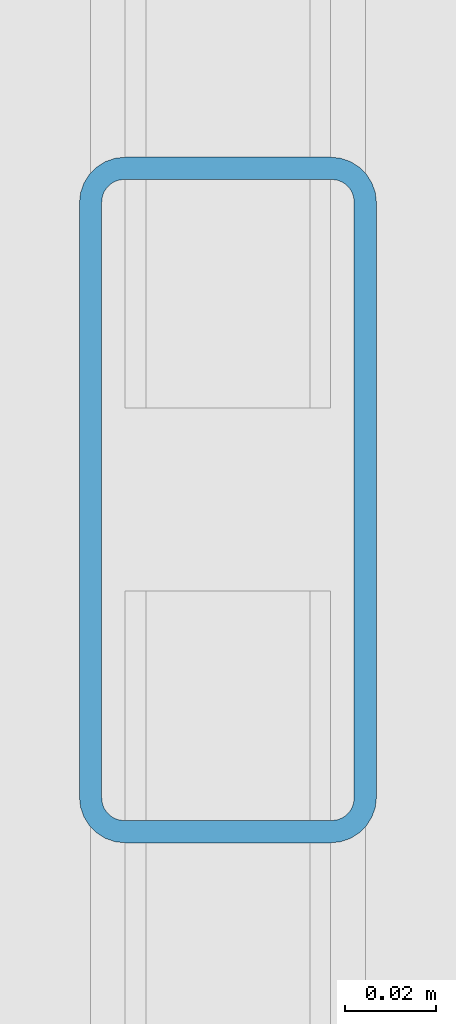
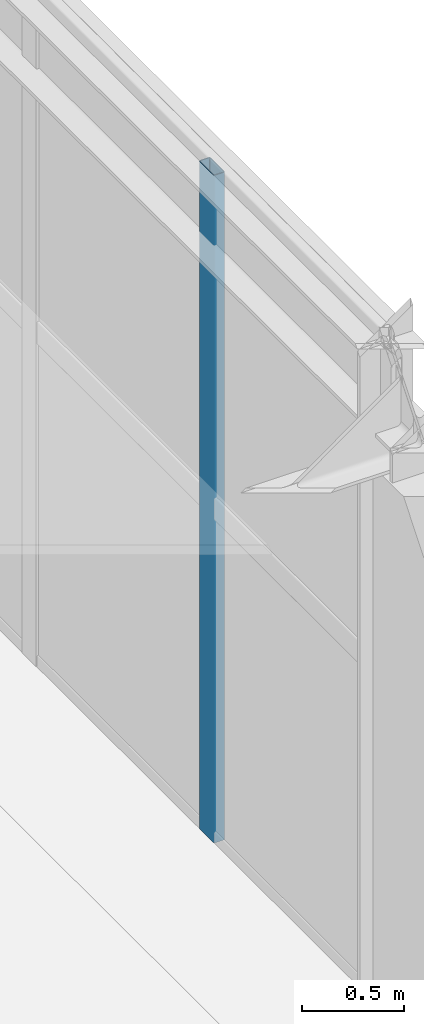
# One storey, part 32 of 73: 1 member, 1 element without a shape of its own.
"""IFC4 building model written with IfcOpenShell, lengths in metres."""

from ifc_helpers import new_model, si_unit, derived_unit, direction, frame, origin, origin_2d, place, context, subcontext, project, spatial, hollow_rectangle, extrude, material, material_profile, profile_set, type_object, element, aggregate, save


model = new_model("IFC4")

# Units and contexts
model_context = context("Model", 3, precision=1e-05, world=origin(), true_north=direction((0.0, 1.0)))
body_context = subcontext(model_context, "Body", "Model", "MODEL_VIEW")
ifc_project = project(units=[si_unit("LENGTHUNIT", "METRE"), si_unit("AREAUNIT", "SQUARE_METRE"), si_unit("VOLUMEUNIT", "CUBIC_METRE"), si_unit("PLANEANGLEUNIT", "RADIAN"), si_unit("MASSUNIT", "GRAM", prefix="KILO"), derived_unit("THERMALTRANSMITTANCEUNIT", [(si_unit("MASSUNIT", "GRAM", prefix="KILO"), 1), (si_unit("TIMEUNIT", "SECOND"), -3), (si_unit("THERMODYNAMICTEMPERATUREUNIT", "KELVIN"), -1)])], contexts=[model_context])

# Site, building, storey
site_placement = place(None, origin())
site = spatial("IfcSite", under=ifc_project, at=site_placement, CompositionType="ELEMENT")
building_placement = place(site_placement, origin())
building = spatial("IfcBuilding", under=site, at=building_placement, Name="Kharveza Railside Sports Centre", CompositionType="ELEMENT")
storey_placement = place(building_placement, frame((0.0, 0.0, 8.699951171875)))
storey = spatial("IfcBuildingStorey", under=building, at=storey_placement, Name="L02", CompositionType="ELEMENT", Elevation=8.699951171875)

# Curtain wall, member
ifc_material_1 = material(Name="Low-E solar-control laminated glass", Category="glass")
curtain_wall_type = type_object("IfcCurtainWallType", Name="CW-WG02", PredefinedType="NOTDEFINED", material=ifc_material_1)
curtain_wall_placement = place(storey_placement, origin())
curtain_wall = element("IfcCurtainWall", 1, at=curtain_wall_placement, inside=storey, type_object=curtain_wall_type, Name="CW-WG-L02-CW-WG02-X1680-Y324", PredefinedType="NOTDEFINED")
ifc_material_2 = material(Name="Anodised aluminium 6063-T6", Category="aluminium")
ifc_material_profile = material_profile(ifc_material_2, hollow_rectangle(XDim=0.06494140625, YDim=0.14990234375, WallThickness=0.0048828125, InnerFilletRadius=0.0048828125, OuterFilletRadius=0.010009765625, at=origin_2d()), Name="RHS 65x150x5.0")
ifc_profile_set = profile_set([ifc_material_profile], Name="Anodised aluminium 6063-T6")
member_type = type_object("IfcMemberType", Name="CW-ML04", PredefinedType="MULLION", material=ifc_profile_set)
member_placement = place(storey_placement, frame((168.0, 30.659912109375, 0.0), z_axis=(0.0, 0.0, 1.0), x_axis=(1.0, 0.0, 0.0)))
member = element("IfcMember", 2, at=member_placement, type_object=member_type, Name="CW-WG-L02-CW-WG02-X1680-Y324-ML2", PredefinedType="MULLION", context=body_context, shape_type="SweptSolid", body=[
    extrude(hollow_rectangle(XDim=0.06494140625, YDim=0.14990234375, WallThickness=0.0048828125, InnerFilletRadius=0.0048828125, OuterFilletRadius=0.010009765625, at=origin_2d()), origin(), (0.0, 0.0, 1.0), 4.0),
])
aggregate(curtain_wall, [member])

save(model, "model.ifc")
